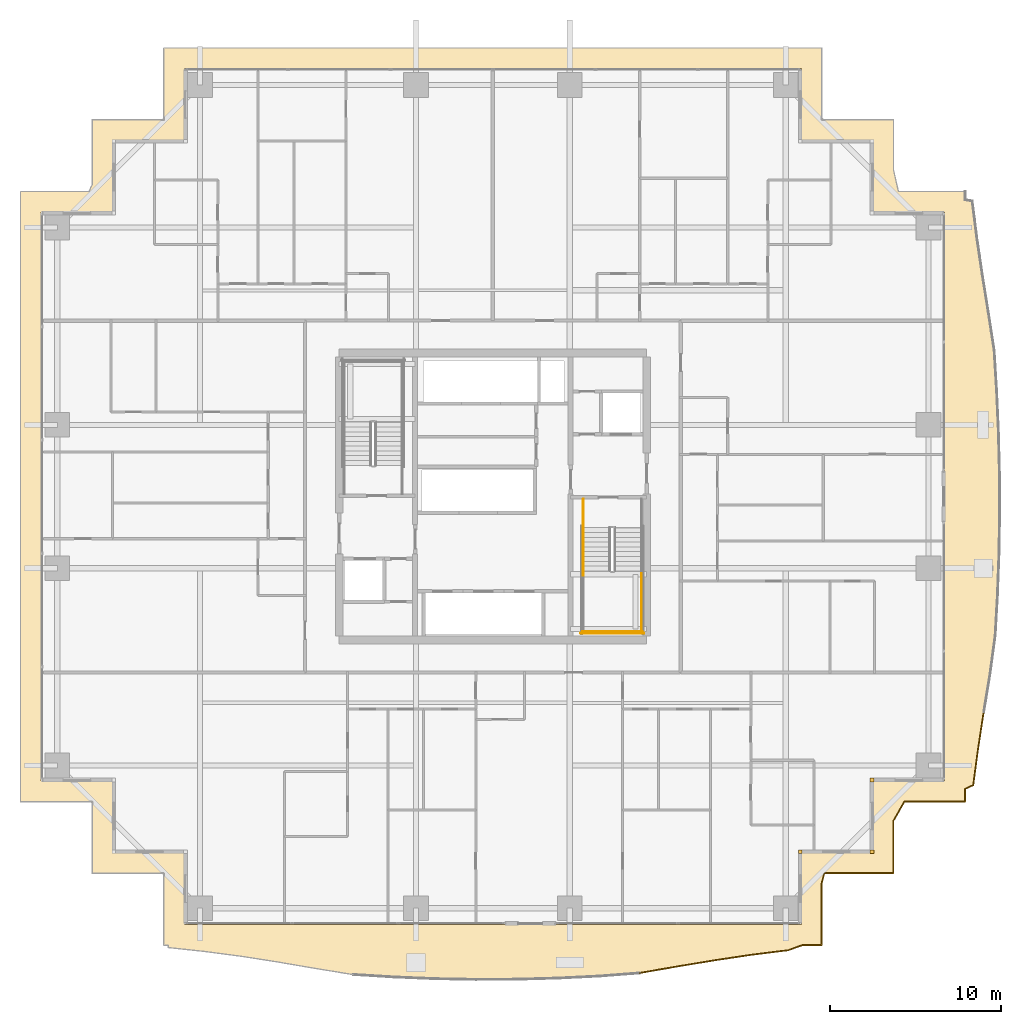
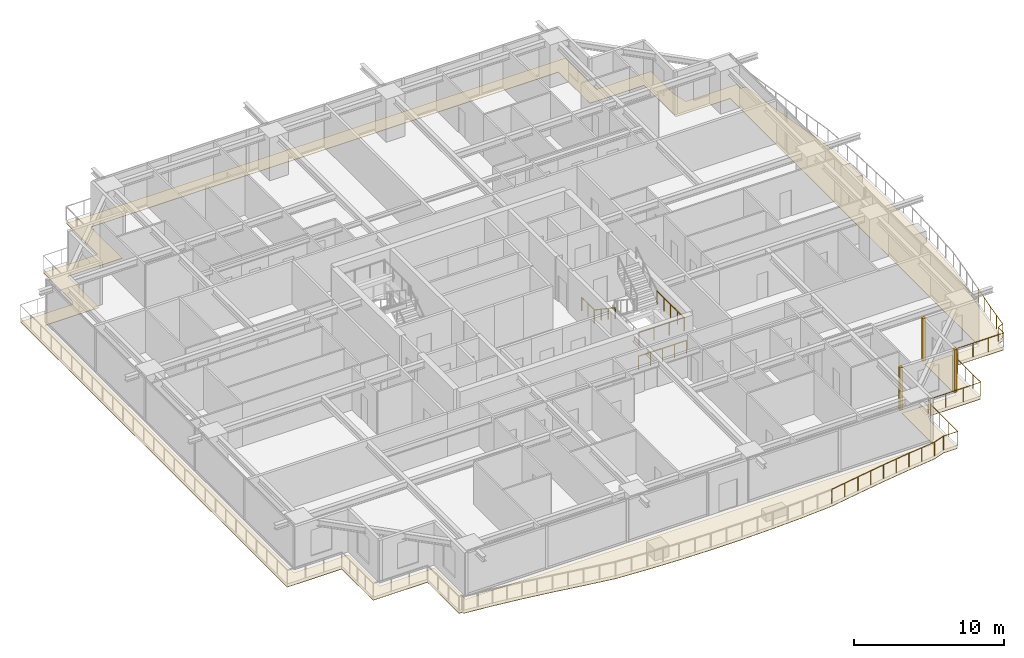
# One storey, part 36 of 39: 7 railings, 4 coverings.
"""IFC4 building model written with IfcOpenShell, lengths in metres."""

import ifcopenshell
import ifcopenshell.guid

model = None  # the IFC model being written
_history = None  # IfcOwnerHistory: only IFC2X3 demands one
_inside = {}  # id of a spatial element -> (the spatial element, [elements in it])
_under = {}  # id of a project, library or spatial element -> (it, [spatial elements below it])
_declared = {}  # id of a project -> (the project, [libraries it declares])
_typed = {}  # id of a type object -> (the type object, [elements of that type])
_made_of = {}  # id of a material, layer set ... -> (it, [elements and type objects made of it])


def new_model(schema):
    """Start an empty IFC model of exactly this schema.

    Asked for "IFC4X3", IfcOpenShell would pick the latest addendum, in which some entities
    have other attributes; the version numbers below select the first issue.
    IFC2X3 requires an IfcOwnerHistory on every rooted entity: one is made here for all.
    """
    global model, _history
    if schema == "IFC4X3":
        model = ifcopenshell.file(schema_version=(4, 3, 0, 0))
    else:
        model = ifcopenshell.file(schema=schema)
    _inside.clear()
    _under.clear()
    _declared.clear()
    _typed.clear()
    _made_of.clear()
    _history = None
    if model.schema == "IFC2X3":
        org = make("IfcOrganization", Name="unknown")
        user = make(
            "IfcPersonAndOrganization",
            ThePerson=make("IfcPerson", FamilyName="unknown"),
            TheOrganization=org,
        )
        app = make(
            "IfcApplication",
            ApplicationDeveloper=org,
            Version="unknown",
            ApplicationFullName="unknown",
            ApplicationIdentifier="unknown",
        )
        _history = make(
            "IfcOwnerHistory",
            OwningUser=user,
            OwningApplication=app,
            ChangeAction="ADDED",
            CreationDate=0,
        )
    return model


def make(cls, **values):
    """One entity of the class cls with the attributes given. An attribute that is None is left unset."""
    return model.create_entity(
        cls, **{name: value for name, value in values.items() if value is not None}
    )


def rooted(cls, **values):
    """An entity with a GlobalId (a new one), such as an element, a storey or a relation."""
    return make(cls, GlobalId=ifcopenshell.guid.new(), OwnerHistory=_history, **values)


def si_unit(unit_type, name, prefix=None):
    """IfcSIUnit, for example si_unit("LENGTHUNIT", "METRE", prefix="MILLI")."""
    return make("IfcSIUnit", UnitType=unit_type, Prefix=prefix, Name=name)


def assignment(units):
    """IfcUnitAssignment: the units of a project."""
    return None if units is None else make("IfcUnitAssignment", Units=units)


def point(xyz):
    """IfcCartesianPoint."""
    return None if xyz is None else make("IfcCartesianPoint", Coordinates=xyz)


def direction(xyz):
    """IfcDirection."""
    return None if xyz is None else make("IfcDirection", DirectionRatios=xyz)


def frame(location, z_axis=None, x_axis=None):
    """IfcAxis2Placement3D, a coordinate frame: its origin and axes. An axis left out is left unset."""
    return make(
        "IfcAxis2Placement3D",
        Location=point(location),
        Axis=direction(z_axis),
        RefDirection=direction(x_axis),
    )


def frame_2d(location, x_axis=None):
    """IfcAxis2Placement2D, a coordinate frame in the plane: its origin and x axis."""
    return make(
        "IfcAxis2Placement2D", Location=point(location), RefDirection=direction(x_axis)
    )


def origin():
    """The frame at (0, 0, 0) with its axes left unset."""
    return frame((0.0, 0.0, 0.0))


def origin_2d():
    """The frame at (0, 0) in the plane with its x axis left unset."""
    return frame_2d((0.0, 0.0))


def place(relative_to, where):
    """IfcLocalPlacement: puts the frame where relative to a parent placement (None: the world)."""
    return make(
        "IfcLocalPlacement", PlacementRelTo=relative_to, RelativePlacement=where
    )


def context(
    kind, dimensions, precision=None, world=None, true_north=None, identifier=None
):
    """IfcGeometricRepresentationContext, for example the 3D "Model" context."""
    return make(
        "IfcGeometricRepresentationContext",
        ContextIdentifier=identifier,
        ContextType=kind,
        CoordinateSpaceDimension=dimensions,
        Precision=precision,
        WorldCoordinateSystem=world,
        TrueNorth=true_north,
    )


def subcontext(parent, identifier, kind, view, scale=None):
    """IfcGeometricRepresentationSubContext, for example "Body" below "Model"."""
    return make(
        "IfcGeometricRepresentationSubContext",
        ContextIdentifier=identifier,
        ContextType=kind,
        ParentContext=parent,
        TargetScale=scale,
        TargetView=view,
    )


def project(units=None, contexts=None):
    """IfcProject with its units and contexts."""
    return rooted(
        "IfcProject",
        Name="project",
        RepresentationContexts=contexts,
        UnitsInContext=assignment(units),
    )


def spatial(cls, under=None, at=None, **own):
    """A site, building, storey or space (cls), placed at a placement, below another one or the project."""
    s = rooted(cls, ObjectPlacement=at, **own)
    if under is not None:
        _under.setdefault(under.id(), (under, []))[1].append(s)
    return s


def polyline(points):
    """IfcPolyline through the points."""
    return make("IfcPolyline", Points=[point(p) for p in points])


def profile(cls, at=None, kind="AREA", **sizes):
    """A parametric profile (cls). Its sizes go by their IFC names, for example OverallWidth=200.0."""
    return make(cls, ProfileType=kind, Position=at, **sizes)


def rectangle(**sizes):
    """IfcRectangleProfileDef."""
    return profile("IfcRectangleProfileDef", **sizes)


def circle(**sizes):
    """IfcCircleProfileDef."""
    return profile("IfcCircleProfileDef", **sizes)


def outline(outer, holes=None, kind="AREA"):
    """IfcArbitraryClosedProfileDef: a profile drawn as a closed curve; with holes, ...WithVoids."""
    if holes is None:
        return make("IfcArbitraryClosedProfileDef", ProfileType=kind, OuterCurve=outer)
    return make(
        "IfcArbitraryProfileDefWithVoids",
        ProfileType=kind,
        OuterCurve=outer,
        InnerCurves=holes,
    )


def extrude(swept, where, along, depth):
    """IfcExtrudedAreaSolid: the profile swept, set in the frame where, extruded along a direction by depth."""
    return make(
        "IfcExtrudedAreaSolid",
        SweptArea=swept,
        Position=where,
        ExtrudedDirection=direction(along),
        Depth=depth,
    )


def shape(context_of_items, identifier, shape_type, items):
    """IfcShapeRepresentation: the items that make up one representation, for example the "Body"."""
    return make(
        "IfcShapeRepresentation",
        ContextOfItems=context_of_items,
        RepresentationIdentifier=identifier,
        RepresentationType=shape_type,
        Items=items,
    )


def source(mapping_origin, context_of_items, identifier, shape_type, items):
    """IfcRepresentationMap: a shape defined once, which mapped items show again and again."""
    return make(
        "IfcRepresentationMap",
        MappingOrigin=mapping_origin,
        MappedRepresentation=shape(context_of_items, identifier, shape_type, items),
    )


def transform(
    local_origin,
    x_axis=None,
    y_axis=None,
    z_axis=None,
    scale=None,
    scale2=None,
    scale3=None,
    uniform=True,
):
    """IfcCartesianTransformationOperator3D, or its non-uniform kind. x_axis, y_axis, z_axis: its Axis1, 2, 3."""
    if uniform:
        return make(
            "IfcCartesianTransformationOperator3D",
            Axis1=direction(x_axis),
            Axis2=direction(y_axis),
            LocalOrigin=point(local_origin),
            Scale=scale,
            Axis3=direction(z_axis),
        )
    return make(
        "IfcCartesianTransformationOperator3DnonUniform",
        Axis1=direction(x_axis),
        Axis2=direction(y_axis),
        LocalOrigin=point(local_origin),
        Scale=scale,
        Axis3=direction(z_axis),
        Scale2=scale2,
        Scale3=scale3,
    )


def mapped(mapping_source, mapping_target):
    """IfcMappedItem: shows the shape of a source again, moved by a transform."""
    return make(
        "IfcMappedItem", MappingSource=mapping_source, MappingTarget=mapping_target
    )


def material(Name=None, Category=None):
    """IfcMaterial."""
    return make("IfcMaterial", Name=Name, Category=Category)


def layer(
    of_material, thickness, ventilated=None, Name=None, Category=None, Priority=None
):
    """IfcMaterialLayer: one layer of a wall or slab, of a material (None: an air gap)."""
    return make(
        "IfcMaterialLayer",
        Material=of_material,
        LayerThickness=thickness,
        IsVentilated=ventilated,
        Name=Name,
        Category=Category,
        Priority=Priority,
    )


def layer_set(layers, Name=None):
    """IfcMaterialLayerSet."""
    return make("IfcMaterialLayerSet", MaterialLayers=layers, LayerSetName=Name)


def made_of(thing, what):
    """Note that an element or type object is made of a material, layer set ...; save() writes the relation."""
    if what is not None:
        _made_of.setdefault(what.id(), (what, []))[1].append(thing)
    return thing


def type_object(cls, material=None, **own):
    """A type object (cls), such as IfcWallType, which elements share."""
    return made_of(rooted(cls, **own), material)


def element(
    cls,
    number,
    at=None,
    inside=None,
    cuts=None,
    type_object=None,
    material=None,
    context=None,
    identifier="Body",
    shape_type=None,
    held_by="IfcProductDefinitionShape",
    body=None,
    shapes=None,
    **own,
):
    """One element of the class cls, such as IfcWall. Its Tag is "e" and its number.

    at: its placement. inside: the storey or other place that contains it. cuts: it is an
    opening in that element (IfcRelVoidsElement). A single representation is given by context,
    identifier, shape_type and body (its items); several are given by shapes. held_by: the class
    of the entity that holds the representations. save() writes the other relations.
    """
    e = rooted(cls, Tag="e%d" % number, ObjectPlacement=at, **own)
    if body is not None:
        shapes = [shape(context, identifier, shape_type, body)]
    if shapes is not None:
        e.Representation = make(held_by, Representations=shapes)
    if inside is not None:
        _inside.setdefault(inside.id(), (inside, []))[1].append(e)
    if cuts is not None:
        rooted(
            "IfcRelVoidsElement", RelatingBuildingElement=cuts, RelatedOpeningElement=e
        )
    if type_object is not None:
        _typed.setdefault(type_object.id(), (type_object, []))[1].append(e)
    return made_of(e, material)


def aggregate(whole, parts):
    """IfcRelAggregates: a whole, such as a stair, and the parts it consists of."""
    return rooted("IfcRelAggregates", RelatingObject=whole, RelatedObjects=parts)


def save(model, path):
    """Write the relations noted so far, then the file.

    IfcRelAggregates (storeys below a building ...), IfcRelContainedInSpatialStructure (elements
    in a storey), IfcRelDefinesByType, IfcRelAssociatesMaterial and IfcRelDeclares: one each for
    every whole, place, type object, material and project.
    """
    for whole, parts in _under.values():
        aggregate(whole, parts)
    for where, things in _inside.values():
        rooted(
            "IfcRelContainedInSpatialStructure",
            RelatedElements=things,
            RelatingStructure=where,
        )
    for kind, things in _typed.values():
        rooted("IfcRelDefinesByType", RelatedObjects=things, RelatingType=kind)
    for what, things in _made_of.values():
        rooted("IfcRelAssociatesMaterial", RelatedObjects=things, RelatingMaterial=what)
    for by, libraries in _declared.values():
        rooted("IfcRelDeclares", RelatingContext=by, RelatedDefinitions=libraries)
    model.write(path)


model = new_model("IFC4")

# Units and contexts
model_context = context("Model", 3, precision=1e-05, world=origin(), true_north=direction((0.0, 1.0)))
body_context = subcontext(model_context, "Body", "Model", "MODEL_VIEW")
ifc_project = project(units=[si_unit("LENGTHUNIT", "METRE"), si_unit("AREAUNIT", "SQUARE_METRE"), si_unit("VOLUMEUNIT", "CUBIC_METRE"), si_unit("PLANEANGLEUNIT", "RADIAN"), si_unit("MASSUNIT", "GRAM", prefix="KILO")], contexts=[model_context])

# Site, building, storey
site_placement = place(None, origin())
site = spatial("IfcSite", under=ifc_project, at=site_placement, CompositionType="ELEMENT")
building_placement = place(site_placement, origin())
building = spatial("IfcBuilding", under=site, at=building_placement, Name="Serunith Strait Residences", CompositionType="ELEMENT")
storey_placement = place(building_placement, frame((0.0, 0.0, 94.199951171875)))
storey = spatial("IfcBuildingStorey", under=building, at=storey_placement, Name="L23", CompositionType="ELEMENT", Elevation=94.199951171875)

# Covering
ifc_material_1 = material(Name="Golden Teak Exterior Timber Boarding", Category="wood")
ifc_layer_1 = layer(ifc_material_1, 0.034912109375, Name="Golden Teak Exterior Timber Boarding")
ifc_layer_set_1 = layer_set([ifc_layer_1], Name="Golden Teak Exterior Timber Boarding")
covering_type_1 = type_object("IfcCoveringType", Name="COV-TEAK-SOFFIT", PredefinedType="CEILING", material=ifc_layer_set_1)
covering_placement = place(storey_placement, frame((0.0, 0.0, -0.324951171875)))
element("IfcCovering", 1, at=covering_placement, inside=storey, type_object=covering_type_1, Name="L23 Golden-Teak Balcony Soffit Lining", PredefinedType="CEILING", context=body_context, shape_type="SweptSolid", body=[
    extrude(outline(polyline([(13.139892578125, 3.139892578125), (8.93994140625, 3.139892578125), (8.93994140625, 7.340087890625), (4.739990234375, 7.340087890625), (4.739990234375, 43.06005859375), (8.7587890625, 43.06005859375), (8.93994140625, 43.457763671875), (8.93994140625, 47.260009765625), (13.139892578125, 47.260009765625), (13.139892578125, 51.4599609375), (51.659912109375, 51.4599609375), (51.659912109375, 47.260009765625), (55.860107421875, 47.260009765625), (55.860107421875, 44.29736328125), (56.142578125, 43.06005859375), (60.06005859375, 43.06005859375), (60.06005859375, 42.5625), (60.470458984375, 42.495849609375), (60.740234375, 40.36328125), (61.05712890625, 38.2080078125), (61.40966796875, 36.014404296875), (61.757568359375, 33.7626953125), (61.900146484375, 31.410888671875), (62.00634765625, 29.031494140625), (62.068115234375, 26.6328125), (62.07958984375, 24.2255859375), (62.039306640625, 21.822509765625), (61.94970703125, 19.435546875), (61.818359375, 17.07470703125), (61.509521484375, 14.798583984375), (61.148193359375, 12.595458984375), (60.8173828125, 10.43505859375), (60.53271484375, 8.30078125), (60.06005859375, 8.08447265625), (60.06005859375, 7.340087890625), (56.50341796875, 7.340087890625), (55.860107421875, 6.2177734375), (55.860107421875, 3.139892578125), (51.8154296875, 3.139892578125), (51.659912109375, 2.5556640625), (51.659912109375, -1.06005859375), (50.56005859375, -1.06005859375), (49.6884765625, -1.37060546875), (47.561767578125, -1.635009765625), (45.41552734375, -1.953369140625), (43.232421875, -2.316650390625), (40.99365234375, -2.701171875), (38.643310546875, -2.88134765625), (36.25390625, -2.998779296875), (33.841552734375, -3.06689453125), (31.419677734375, -3.0791015625), (29.00244140625, -3.033935546875), (26.604248046875, -2.934326171875), (24.236572265625, -2.789306640625), (21.978515625, -2.418701171875), (19.7861328125, -2.043701171875), (17.635498046875, -1.709716796875), (15.50830078125, -1.42919921875), (13.3896484375, -1.203369140625), (13.390625, -1.06005859375), (13.139892578125, -1.06005859375), (13.139892578125, 3.139892578125)]), holes=[polyline([(50.455078125, 0.14501953125), (50.455078125, 4.344970703125), (54.655029296875, 4.344970703125), (54.655029296875, 8.544921875), (58.85498046875, 8.544921875), (58.85498046875, 41.85498046875), (54.655029296875, 41.85498046875), (54.655029296875, 46.054931640625), (50.455078125, 46.054931640625), (50.455078125, 50.2548828125), (14.344970703125, 50.2548828125), (14.344970703125, 46.054931640625), (10.14501953125, 46.054931640625), (10.14501953125, 41.85498046875), (5.945068359375, 41.85498046875), (5.945068359375, 8.544921875), (10.14501953125, 8.544921875), (10.14501953125, 4.344970703125), (14.344970703125, 4.344970703125), (14.344970703125, 0.14501953125), (50.455078125, 0.14501953125)])]), origin(), (0.0, 0.0, 1.0), 0.034912109375),
])

# Railings
ifc_material_2 = material(Name="Stainless Steel & Laminated Glass Balustrade", Category="steel")
railing_type_1 = type_object("IfcRailingType", Name="RLG-BALC-1150", PredefinedType="BALUSTRADE", material=ifc_material_2)
railing_1_placement = place(storey_placement, frame((61.148193359375, 12.595458984375, -0.050048828125)))
element("IfcRailing", 2, at=railing_1_placement, inside=storey, type_object=railing_type_1, Name="L23 Swirling Balcony Perimeter Balustrade 5", PredefinedType="BALUSTRADE", context=body_context, shape_type="SweptSolid", body=[
    extrude(circle(Radius=0.02392578125, at=origin_2d()), frame((-0.000244140625, -0.001953125, 1.1259765625), z_axis=(-0.151360442267, -0.98847863736, 0.0), x_axis=(0.98847863736, -0.151360442267, 0.0)), (0.0, 0.0, 1.0), 2.181640625),
    extrude(circle(Radius=0.02392578125, at=origin_2d()), frame((-0.3310546875, -2.162353515625, 1.1259765625), z_axis=(-0.13220828221, -0.991221958047, 0.0), x_axis=(0.991221958047, -0.13220828221, 0.0)), (0.0, 0.0, 1.0), 2.149169921875),
    extrude(circle(Radius=0.02392578125, at=origin_2d()), frame((-0.6171875, -4.29541015625, 1.1259765625), z_axis=(-0.909301874454, -0.416137118164, 0.0), x_axis=(0.416137118164, -0.909301874454, 0.0)), (0.0, 0.0, 1.0), 0.515869140625),
    extrude(circle(Radius=0.02392578125, at=origin_2d()), frame((-1.088134765625, -4.512939453125, 1.1259765625), z_axis=(0.0, -1.0, 0.0), x_axis=(1.0, 0.0, 0.0)), (0.0, 0.0, 1.0), 0.740478515625),
    extrude(circle(Radius=0.02392578125, at=origin_2d()), frame((-1.090087890625, -5.25537109375, 1.1259765625), z_axis=(-1.0, 0.0, 0.0), x_axis=(0.0, -1.0, 0.0)), (0.0, 0.0, 1.0), 3.552734375),
    extrude(circle(Radius=0.02392578125, at=origin_2d()), frame((-4.645751953125, -5.257080078125, 1.1259765625), z_axis=(-0.497296993276, -0.867580371192, 0.0), x_axis=(0.867580371192, -0.497296993276, 0.0)), (0.0, 0.0, 1.0), 1.28955078125),
    extrude(circle(Radius=0.02392578125, at=origin_2d()), frame((-5.2880859375, -6.379638671875, 1.1259765625), z_axis=(0.0, -1.0, 0.0), x_axis=(1.0, 0.0, 0.0)), (0.0, 0.0, 1.0), 3.073974609375),
    extrude(circle(Radius=0.02392578125, at=origin_2d()), frame((-5.2900390625, -9.45556640625, 1.1259765625), z_axis=(-1.0, 0.0, 0.0), x_axis=(0.0, -1.0, 0.0)), (0.0, 0.0, 1.0), 4.040771484375),
    extrude(circle(Radius=0.02099609375, at=origin_2d()), origin(), (0.0, 0.0, 1.0), 1.099853515625),
    extrude(circle(Radius=0.02099609375, at=origin_2d()), frame((-0.16552734375, -1.080078125, 0.0)), (0.0, 0.0, 1.0), 1.099853515625),
    extrude(circle(Radius=0.02099609375, at=origin_2d()), frame((-0.330810546875, -2.160400390625, 0.0)), (0.0, 0.0, 1.0), 1.099853515625),
    extrude(circle(Radius=0.02099609375, at=origin_2d()), frame((-0.47314453125, -3.2275390625, 0.0)), (0.0, 0.0, 1.0), 1.099853515625),
    extrude(circle(Radius=0.02099609375, at=origin_2d()), frame((-0.615478515625, -4.294677734375, 0.0)), (0.0, 0.0, 1.0), 1.099853515625),
    extrude(circle(Radius=0.02099609375, at=origin_2d()), frame((-1.088134765625, -4.510986328125, 0.0)), (0.0, 0.0, 1.0), 1.099853515625),
    extrude(circle(Radius=0.02099609375, at=origin_2d()), frame((-1.088134765625, -5.25537109375, 0.0)), (0.0, 0.0, 1.0), 1.099853515625),
    extrude(circle(Radius=0.02099609375, at=origin_2d()), frame((-2.273681640625, -5.25537109375, 0.0)), (0.0, 0.0, 1.0), 1.099853515625),
    extrude(circle(Radius=0.02099609375, at=origin_2d()), frame((-3.459228515625, -5.25537109375, 0.0)), (0.0, 0.0, 1.0), 1.099853515625),
    extrude(circle(Radius=0.02099609375, at=origin_2d()), frame((-4.644775390625, -5.25537109375, 0.0)), (0.0, 0.0, 1.0), 1.099853515625),
    extrude(circle(Radius=0.02099609375, at=origin_2d()), frame((-5.2880859375, -6.377685546875, 0.0)), (0.0, 0.0, 1.0), 1.099853515625),
    extrude(circle(Radius=0.02099609375, at=origin_2d()), frame((-5.2880859375, -7.403564453125, 0.0)), (0.0, 0.0, 1.0), 1.099853515625),
    extrude(circle(Radius=0.02099609375, at=origin_2d()), frame((-5.2880859375, -8.4296875, 0.0)), (0.0, 0.0, 1.0), 1.099853515625),
    extrude(circle(Radius=0.02099609375, at=origin_2d()), frame((-5.2880859375, -9.45556640625, 0.0)), (0.0, 0.0, 1.0), 1.099853515625),
    extrude(circle(Radius=0.02099609375, at=origin_2d()), frame((-6.63623046875, -9.45556640625, 0.0)), (0.0, 0.0, 1.0), 1.099853515625),
    extrude(circle(Radius=0.02099609375, at=origin_2d()), frame((-7.984619140625, -9.45556640625, 0.0)), (0.0, 0.0, 1.0), 1.099853515625),
    extrude(circle(Radius=0.02099609375, at=origin_2d()), frame((-9.332763671875, -9.45556640625, 0.0)), (0.0, 0.0, 1.0), 1.099853515625),
])
railing_2_placement = place(storey_placement, frame((51.8154296875, 3.139892578125, -0.050048828125)))
element("IfcRailing", 3, at=railing_2_placement, inside=storey, type_object=railing_type_1, Name="L23 Swirling Balcony Perimeter Balustrade 6", PredefinedType="BALUSTRADE", context=body_context, shape_type="SweptSolid", body=[
    extrude(circle(Radius=0.02392578125, at=origin_2d()), frame((-0.00048828125, -0.001953125, 1.1259765625), z_axis=(-0.257235343616, -0.966348786927, 0.0), x_axis=(0.966348786927, -0.257235343616, 0.0)), (0.0, 0.0, 1.0), 0.6005859375),
    extrude(circle(Radius=0.02392578125, at=origin_2d()), frame((-0.155517578125, -0.586181640625, 1.1259765625), z_axis=(0.0, -1.0, 0.0), x_axis=(1.0, 0.0, 0.0)), (0.0, 0.0, 1.0), 3.61181640625),
    extrude(circle(Radius=0.02392578125, at=origin_2d()), frame((-0.157470703125, -4.199951171875, 1.1259765625), z_axis=(-1.0, 0.0, 0.0), x_axis=(0.0, -1.0, 0.0)), (0.0, 0.0, 1.0), 1.095947265625),
    extrude(circle(Radius=0.02392578125, at=origin_2d()), frame((-1.25732421875, -4.20068359375, 1.1259765625), z_axis=(-0.941992379856, -0.335634259713, 0.0), x_axis=(0.335634259713, -0.941992379856, 0.0)), (0.0, 0.0, 1.0), 0.921142578125),
    extrude(circle(Radius=0.02392578125, at=origin_2d()), frame((-2.12890625, -4.5107421875, 1.1259765625), z_axis=(-0.992360031058, -0.123375721919, 0.0), x_axis=(0.123375721919, -0.992360031058, 0.0)), (0.0, 0.0, 1.0), 2.13916015625),
    extrude(circle(Radius=0.02392578125, at=origin_2d()), frame((-4.255615234375, -4.775146484375, 1.1259765625), z_axis=(-0.989176863811, -0.146728089001, 0.0), x_axis=(0.146728089001, -0.989176863811, 0.0)), (0.0, 0.0, 1.0), 2.165771484375),
    extrude(circle(Radius=0.02392578125, at=origin_2d()), frame((-6.40185546875, -5.093505859375, 1.1259765625), z_axis=(-0.986435632803, -0.16414853742, 0.0), x_axis=(0.16414853742, -0.986435632803, 0.0)), (0.0, 0.0, 1.0), 2.209228515625),
    extrude(circle(Radius=0.02392578125, at=origin_2d()), frame((-8.5849609375, -5.456787109375, 1.1259765625), z_axis=(-0.985568508917, -0.169277033974, 0.0), x_axis=(0.169277033974, -0.985568508917, 0.0)), (0.0, 0.0, 1.0), 2.267578125),
    extrude(circle(Radius=0.02099609375, at=origin_2d()), origin(), (0.0, 0.0, 1.0), 1.099853515625),
    extrude(circle(Radius=0.02099609375, at=origin_2d()), frame((-0.155517578125, -0.584228515625, 0.0)), (0.0, 0.0, 1.0), 1.099853515625),
    extrude(circle(Radius=0.02099609375, at=origin_2d()), frame((-0.155517578125, -1.78955078125, 0.0)), (0.0, 0.0, 1.0), 1.099853515625),
    extrude(circle(Radius=0.02099609375, at=origin_2d()), frame((-0.155517578125, -2.99462890625, 0.0)), (0.0, 0.0, 1.0), 1.099853515625),
    extrude(circle(Radius=0.02099609375, at=origin_2d()), frame((-0.155517578125, -4.199951171875, 0.0)), (0.0, 0.0, 1.0), 1.099853515625),
    extrude(circle(Radius=0.02099609375, at=origin_2d()), frame((-1.25537109375, -4.199951171875, 0.0)), (0.0, 0.0, 1.0), 1.099853515625),
    extrude(circle(Radius=0.02099609375, at=origin_2d()), frame((-2.126953125, -4.510498046875, 0.0)), (0.0, 0.0, 1.0), 1.099853515625),
    extrude(circle(Radius=0.02099609375, at=origin_2d()), frame((-3.1904296875, -4.642578125, 0.0)), (0.0, 0.0, 1.0), 1.099853515625),
    extrude(circle(Radius=0.02099609375, at=origin_2d()), frame((-4.253662109375, -4.77490234375, 0.0)), (0.0, 0.0, 1.0), 1.099853515625),
    extrude(circle(Radius=0.02099609375, at=origin_2d()), frame((-5.32666015625, -4.93408203125, 0.0)), (0.0, 0.0, 1.0), 1.099853515625),
    extrude(circle(Radius=0.02099609375, at=origin_2d()), frame((-6.39990234375, -5.09326171875, 0.0)), (0.0, 0.0, 1.0), 1.099853515625),
    extrude(circle(Radius=0.02099609375, at=origin_2d()), frame((-7.491455078125, -5.27490234375, 0.0)), (0.0, 0.0, 1.0), 1.099853515625),
    extrude(circle(Radius=0.02099609375, at=origin_2d()), frame((-8.5830078125, -5.45654296875, 0.0)), (0.0, 0.0, 1.0), 1.099853515625),
    extrude(circle(Radius=0.02099609375, at=origin_2d()), frame((-9.702392578125, -5.64892578125, 0.0)), (0.0, 0.0, 1.0), 1.099853515625),
    extrude(circle(Radius=0.02099609375, at=origin_2d()), frame((-10.82177734375, -5.841064453125, 0.0)), (0.0, 0.0, 1.0), 1.099853515625),
])
ifc_material_3 = material(Name="Brushed stainless steel 316L", Category="steel")
railing_type_2 = type_object("IfcRailingType", Name="RLG-STAIR-GUARD", PredefinedType="BALUSTRADE", material=ifc_material_3)
railing_3_placement = place(storey_placement, frame((41.10009765625, 20.85009765625, 1.875)))
element("IfcRailing", 4, at=railing_3_placement, inside=storey, type_object=railing_type_2, Name="L23 ST-2 stair guard 4", PredefinedType="BALUSTRADE", context=body_context, shape_type="SweptSolid", body=[
    extrude(circle(Radius=0.02392578125, at=origin_2d()), frame((0.0, -0.001953125, 1.076171875), z_axis=(0.0, -1.0, 0.0), x_axis=(1.0, 0.0, 0.0)), (0.0, 0.0, 1.0), 3.59619140625),
    extrude(circle(Radius=0.02099609375, at=origin_2d()), origin(), (0.0, 0.0, 1.0), 1.050048828125),
    extrude(circle(Radius=0.02099609375, at=origin_2d()), frame((0.0, -0.89990234375, 0.0)), (0.0, 0.0, 1.0), 1.050048828125),
    extrude(circle(Radius=0.02099609375, at=origin_2d()), frame((0.0, -1.800048828125, 0.0)), (0.0, 0.0, 1.0), 1.050048828125),
    extrude(circle(Radius=0.02099609375, at=origin_2d()), frame((0.0, -2.7001953125, 0.0)), (0.0, 0.0, 1.0), 1.050048828125),
    extrude(circle(Radius=0.02099609375, at=origin_2d()), frame((0.0, -3.60009765625, 0.0)), (0.0, 0.0, 1.0), 1.050048828125),
])
railing_4_placement = place(storey_placement, frame((37.64990234375, 17.300048828125, 1.875)))
element("IfcRailing", 5, at=railing_4_placement, inside=storey, type_object=railing_type_2, Name="L23 ST-2 stair guard 5", PredefinedType="BALUSTRADE", context=body_context, shape_type="SweptSolid", body=[
    extrude(circle(Radius=0.02392578125, at=origin_2d()), frame((0.001953125, 0.0, 1.076171875), z_axis=(1.0, 0.0, 0.0), x_axis=(0.0, 1.0, 0.0)), (0.0, 0.0, 1.0), 3.49609375),
    extrude(circle(Radius=0.02099609375, at=origin_2d()), origin(), (0.0, 0.0, 1.0), 1.050048828125),
    extrude(circle(Radius=0.02099609375, at=origin_2d()), frame((1.166748046875, 0.0, 0.0)), (0.0, 0.0, 1.0), 1.050048828125),
    extrude(circle(Radius=0.02099609375, at=origin_2d()), frame((2.333251953125, 0.0, 0.0)), (0.0, 0.0, 1.0), 1.050048828125),
    extrude(circle(Radius=0.02099609375, at=origin_2d()), frame((3.5, 0.0, 0.0)), (0.0, 0.0, 1.0), 1.050048828125),
])
railing_5_placement = place(storey_placement, frame((37.699951171875, 25.050048828125, 0.0)))
element("IfcRailing", 6, at=railing_5_placement, inside=storey, type_object=railing_type_2, Name="L23 ST-2 stair guard 8", PredefinedType="BALUSTRADE", context=body_context, shape_type="SweptSolid", body=[
    extrude(circle(Radius=0.02392578125, at=origin_2d()), frame((0.0, -0.001953125, 1.076171875), z_axis=(0.0, -1.0, 0.0), x_axis=(1.0, 0.0, 0.0)), (0.0, 0.0, 1.0), 1.676025390625),
    extrude(circle(Radius=0.02099609375, at=origin_2d()), origin(), (0.0, 0.0, 1.0), 1.050048828125),
    extrude(circle(Radius=0.02099609375, at=origin_2d()), frame((0.0, -0.83984375, 0.0)), (0.0, 0.0, 1.0), 1.050048828125),
    extrude(circle(Radius=0.02099609375, at=origin_2d()), frame((0.0, -1.679931640625, 0.0)), (0.0, 0.0, 1.0), 1.050048828125),
])
railing_6_placement = place(storey_placement, frame((37.550048828125, 17.199951171875, 0.0)))
element("IfcRailing", 7, at=railing_6_placement, inside=storey, type_object=railing_type_2, Name="L23 ST-2 stair guard 12", PredefinedType="BALUSTRADE", context=body_context, shape_type="SweptSolid", body=[
    extrude(circle(Radius=0.02392578125, at=origin_2d()), frame((0.001953125, 0.0, 1.076171875), z_axis=(1.0, 0.0, 0.0), x_axis=(0.0, 1.0, 0.0)), (0.0, 0.0, 1.0), 3.696044921875),
    extrude(circle(Radius=0.02099609375, at=origin_2d()), origin(), (0.0, 0.0, 1.0), 1.050048828125),
    extrude(circle(Radius=0.02099609375, at=origin_2d()), frame((0.925048828125, 0.0, 0.0)), (0.0, 0.0, 1.0), 1.050048828125),
    extrude(circle(Radius=0.02099609375, at=origin_2d()), frame((1.85009765625, 0.0, 0.0)), (0.0, 0.0, 1.0), 1.050048828125),
    extrude(circle(Radius=0.02099609375, at=origin_2d()), frame((2.77490234375, 0.0, 0.0)), (0.0, 0.0, 1.0), 1.050048828125),
    extrude(circle(Radius=0.02099609375, at=origin_2d()), frame((3.699951171875, 0.0, 0.0)), (0.0, 0.0, 1.0), 1.050048828125),
])
railing_type_3 = type_object("IfcRailingType", Name="RLG-STAIR-HR", PredefinedType="HANDRAIL", material=ifc_material_3)
railing_7_placement = place(storey_placement, frame((37.699951171875, 23.3701171875, 0.1875)))
element("IfcRailing", 8, at=railing_7_placement, inside=storey, type_object=railing_type_3, Name="L23 ST-2 stair handrail 1", PredefinedType="HANDRAIL", context=body_context, shape_type="SweptSolid", body=[
    extrude(circle(Radius=0.02392578125, at=origin_2d()), frame((0.0, -0.001708984375, 0.876953125), z_axis=(0.0, -0.830208209119, 0.557453432594), x_axis=(1.0, 0.0, 0.0)), (0.0, 0.0, 1.0), 3.36865234375),
    extrude(circle(Radius=0.02099609375, at=origin_2d()), origin(), (0.0, 0.0, 1.0), 0.849853515625),
    extrude(circle(Radius=0.02099609375, at=origin_2d()), frame((0.0, -0.933349609375, 0.626708984375)), (0.0, 0.0, 1.0), 0.849853515625),
    extrude(circle(Radius=0.02099609375, at=origin_2d()), frame((0.0, -1.86669921875, 1.25341796875)), (0.0, 0.0, 1.0), 0.849853515625),
    extrude(circle(Radius=0.02099609375, at=origin_2d()), frame((0.0, -2.800048828125, 1.880126953125)), (0.0, 0.0, 1.0), 0.849853515625),
])

# Coverings
ifc_material_4 = material(Name="Pale-Champagne Anodised Aluminium", Category="aluminium")
ifc_layer_2 = layer(ifc_material_4, 0.219970703125, Name="Pale-Champagne Anodised Aluminium")
ifc_layer_set_2 = layer_set([ifc_layer_2], Name="Pale-Champagne Anodised Aluminium")
covering_type_2 = type_object("IfcCoveringType", Name="COV-CORN-TRIM", PredefinedType="CLADDING", material=ifc_layer_set_2)
shared_shape = source(origin(), body_context, "Body", "SweptSolid", [
    extrude(rectangle(XDim=0.221923828125, YDim=0.221923828125, at=origin_2d()), origin(), (0.0, 0.0, 1.0), 3.47509765625),
])
for number, where, z_axis, x_axis, name in (
    (9, (50.39990234375, 4.39990234375, 0.0), (0.0, 0.0, 1.0), (1.0, 0.0, 0.0), "L23 Girih Serrated Corner Trim Post 02"),
    (10, (54.60009765625, 4.39990234375, 0.0), (0.0, 0.0, 1.0), (1.0, 0.0, 0.0), "L23 Girih Serrated Corner Trim Post 03"),
    (11, (54.60009765625, 8.60009765625, 0.0), (0.0, 0.0, 1.0), (1.0, 0.0, 0.0), "L23 Girih Serrated Corner Trim Post 04"),
):
    element("IfcCovering", number, at=place(storey_placement, frame(where, z_axis=z_axis, x_axis=x_axis)), inside=storey, type_object=covering_type_2, Name=name, PredefinedType="CLADDING", context=body_context, shape_type="MappedRepresentation", body=[
        mapped(shared_shape, transform((0.0, 0.0, 0.0), scale=1.0)),
    ])

save(model, "model.ifc")
